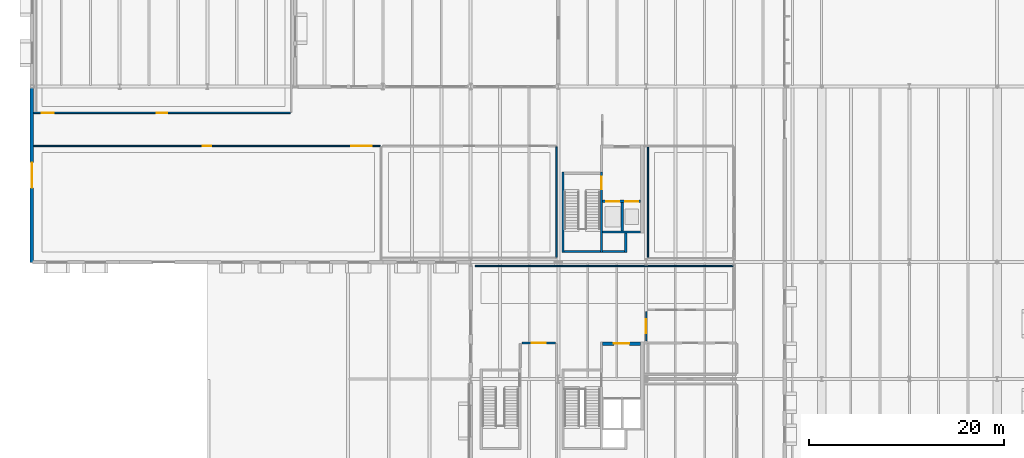
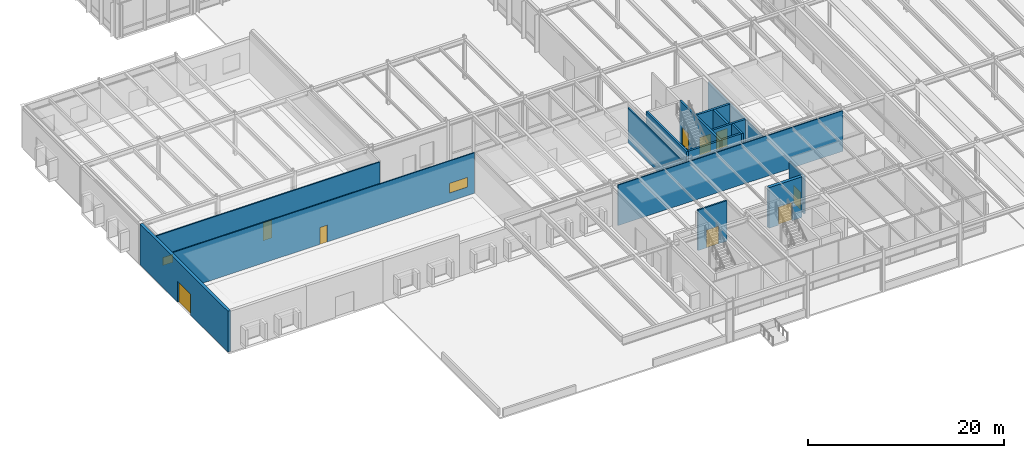
# One storey, part 119 of 143: 17 walls, 9 doors, 2 windows, 11 openings.
"""IFC4 building model written with IfcOpenShell, lengths in metres."""

from ifc_helpers import new_model, si_unit, direction, frame, frame_2d, origin, place, context, subcontext, project, spatial, rectangle, extrude, material, layer, layer_set, type_object, element, fill, save


model = new_model("IFC4")

# Units and contexts
model_context = context("Model", 3, precision=1e-05, world=origin(), true_north=direction((0.0, 1.0)))
body_context = subcontext(model_context, "Body", "Model", "MODEL_VIEW")
ifc_project = project(units=[si_unit("LENGTHUNIT", "METRE"), si_unit("AREAUNIT", "SQUARE_METRE"), si_unit("VOLUMEUNIT", "CUBIC_METRE"), si_unit("PLANEANGLEUNIT", "RADIAN"), si_unit("MASSUNIT", "GRAM", prefix="KILO")], contexts=[model_context])

# Site, building, storey
site_placement = place(None, origin())
site = spatial("IfcSite", under=ifc_project, at=site_placement, CompositionType="ELEMENT")
building_placement = place(site_placement, origin())
building = spatial("IfcBuilding", under=site, at=building_placement, Name="Montelvaro Courts of Justice", CompositionType="ELEMENT")
storey_placement = place(building_placement, origin())
storey = spatial("IfcBuildingStorey", under=building, at=storey_placement, Name="L00", CompositionType="ELEMENT", Elevation=0.0)

# Wall
ifc_material_1 = material(Name="Gypsum board on metal stud")
ifc_layer_1 = layer(ifc_material_1, 0.14990234375)
ifc_layer_set_1 = layer_set([ifc_layer_1], Name="Gypsum board on metal stud")
wall_type_1 = type_object("IfcWallType", Name="ChambersPartition_150", PredefinedType="PARTITIONING", material=ifc_layer_set_1)
wall_1_placement = place(storey_placement, frame((53.800048828125, 35.820068359375, 0.0), z_axis=(0.0, 0.0, 1.0), x_axis=(0.0, -1.0, 0.0)))
element("IfcWall", 1, at=wall_1_placement, inside=storey, type_object=wall_type_1, Name="Interior Partition IW-04 (L00)", PredefinedType="PARTITIONING", context=body_context, shape_type="SweptSolid", body=[
    extrude(rectangle(XDim=11.340087890625, YDim=0.14990234375, at=frame_2d((5.669921875, 0.0))), origin(), (0.0, 0.0, 1.0), 4.364990234375),
])

# Wall, openings, door, window
wall_2_placement = place(storey_placement, frame((26.52001953125, 39.300048828125, 0.0), z_axis=(0.0, 0.0, 1.0), x_axis=(-1.0, 0.0, 0.0)))
wall_2 = element("IfcWall", 2, at=wall_2_placement, inside=storey, type_object=wall_type_1, Name="Interior Partition IW-04 (L00)", PredefinedType="PARTITIONING", context=body_context, shape_type="SweptSolid", body=[
    extrude(rectangle(XDim=26.35009765625, YDim=0.14990234375, at=frame_2d((13.175048828125, 0.0))), origin(), (0.0, 0.0, 1.0), 5.0400390625),
])
opening_1_placement = place(wall_2_placement, frame((12.64990234375, 0.0, 0.0)))
opening_1 = element("IfcOpeningElement", 3, at=opening_1_placement, cuts=wall_2, Name="Opening D-L00-041", PredefinedType="OPENING", context=body_context, shape_type="SweptSolid", body=[
    extrude(rectangle(XDim=1.050048828125, YDim=2.25, at=frame_2d((0.52490234375, 1.125))), frame((0.0, 0.08984375, 0.0), z_axis=(0.0, -1.0, 0.0), x_axis=(1.0, 0.0, 0.0)), (0.0, 0.0, 1.0), 0.1796875),
])
opening_2_placement = place(wall_2_placement, frame((24.300048828125, 0.0, 1.050048828125)))
opening_2 = element("IfcOpeningElement", 4, at=opening_2_placement, cuts=wall_2, Name="Opening WI-03", PredefinedType="OPENING", context=body_context, shape_type="SweptSolid", body=[
    extrude(rectangle(XDim=1.199951171875, YDim=1.0, at=frame_2d((0.60009765625, 0.5))), frame((0.0, 0.08984375, 0.0), z_axis=(0.0, -1.0, 0.0), x_axis=(1.0, 0.0, 0.0)), (0.0, 0.0, 1.0), 0.1796875),
])
ifc_material_2 = material(Name="Acoustic oak timber veneer", Category="wood")
door_type_1 = type_object("IfcDoorType", Name="ChamberDoor_105x225", OperationType="NOTDEFINED", PredefinedType="DOOR", material=ifc_material_2)
door_1_placement = place(opening_1_placement, frame((1.050048828125, 0.0, 0.0), z_axis=(0.0, 0.0, 1.0), x_axis=(-1.0, 0.0, 0.0)))
door_1 = element("IfcDoor", 5, at=door_1_placement, inside=storey, type_object=door_type_1, Name="Interior Door D-L00-041 (Public Community Legal Advice Hall)", OperationType="SINGLE_SWING_RIGHT", OverallHeight=2.25, OverallWidth=1.050048828125, PredefinedType="DOOR", context=body_context, shape_type="SweptSolid", body=[
    extrude(rectangle(XDim=1.050048828125, YDim=2.25, at=frame_2d((0.52490234375, 1.125))), frame((0.0, 0.02490234375, 0.0), z_axis=(0.0, -1.0, 0.0), x_axis=(1.0, 0.0, 0.0)), (0.0, 0.0, 1.0), 0.050048828125),
])
fill(opening_1, door_1)
ifc_material_3 = material(Name="Acoustic laminated double glazing", Category="glass")
window_type_1 = type_object("IfcWindowType", Name="IntVision_120x100", PartitioningType="SINGLE_PANEL", PredefinedType="WINDOW", material=ifc_material_3)
window_1_placement = place(opening_2_placement, origin())
window_1 = element("IfcWindow", 6, at=window_1_placement, inside=storey, type_object=window_type_1, Name="Interior Vision Panel WI-023", OverallHeight=1.0, OverallWidth=1.199951171875, PartitioningType="SINGLE_PANEL", PredefinedType="WINDOW", context=body_context, shape_type="SweptSolid", body=[
    extrude(rectangle(XDim=1.199951171875, YDim=1.0, at=frame_2d((0.60009765625, 0.5))), frame((0.0, 0.030029296875, 0.0), z_axis=(0.0, -1.0, 0.0), x_axis=(1.0, 0.0, 0.0)), (0.0, 0.0, 1.0), 0.06005859375),
])
fill(opening_2, window_1)

# Wall, opening, door
ifc_material_4 = material(Name="Concrete C40/50", Category="concrete")
ifc_layer_2 = layer(ifc_material_4, 0.360107421875)
ifc_layer_set_2 = layer_set([ifc_layer_2], Name="Concrete C40/50")
wall_type_2 = type_object("IfcWallType", Name="CoreWall_360", PredefinedType="SHEAR", material=ifc_layer_set_2)
wall_3_placement = place(storey_placement, frame((58.5400390625, 15.6201171875, 0.0), z_axis=(0.0, 0.0, 1.0), x_axis=(1.0, 0.0, 0.0)))
wall_3 = element("IfcWall", 7, at=wall_3_placement, inside=storey, type_object=wall_type_2, Name="Core Shear Wall CW-01 K1-N (L00)", PredefinedType="SHEAR", context=body_context, shape_type="SweptSolid", body=[
    extrude(rectangle(XDim=3.89990234375, YDim=0.360107421875, at=frame_2d((1.949951171875, 0.0))), origin(), (0.0, 0.0, 1.0), 5.06005859375),
])
opening_3_placement = place(wall_3_placement, frame((1.14990234375, 0.0, 0.0)))
opening_3 = element("IfcOpeningElement", 8, at=opening_3_placement, cuts=wall_3, Name="Opening DL-L00-K1", PredefinedType="OPENING", context=body_context, shape_type="SweptSolid", body=[
    extrude(rectangle(XDim=1.60009765625, YDim=2.25, at=frame_2d((0.800048828125, 1.125))), frame((0.0, 0.19482421875, 0.0), z_axis=(0.0, -1.0, 0.0), x_axis=(1.0, 0.0, 0.0)), (0.0, 0.0, 1.0), 0.389892578125),
])
ifc_material_5 = material(Name="Galvanised steel S355 security door", Category="steel")
door_type_2 = type_object("IfcDoorType", Name="LobbyFireDoor_160x225", OperationType="DOUBLE_DOOR_SINGLE_SWING", PredefinedType="DOOR", material=ifc_material_5)
door_2_placement = place(opening_3_placement, origin())
door_2 = element("IfcDoor", 9, at=door_2_placement, inside=storey, type_object=door_type_2, Name="Core Lobby Fire Door DL-L00-K1", OperationType="DOUBLE_DOOR_SINGLE_SWING", OverallHeight=2.25, OverallWidth=1.60009765625, PredefinedType="DOOR", context=body_context, shape_type="SweptSolid", body=[
    extrude(rectangle(XDim=1.60009765625, YDim=2.25, at=frame_2d((0.800048828125, 1.125))), frame((0.0, 0.02490234375, 0.0), z_axis=(0.0, -1.0, 0.0), x_axis=(1.0, 0.0, 0.0)), (0.0, 0.0, 1.0), 0.050048828125),
])
fill(opening_3, door_2)

ifc_material_6 = material(Name="Fire-rated gypsum and steel stud", Category="steel")
ifc_layer_3 = layer(ifc_material_6, 0.179931640625)
ifc_layer_set_3 = layer_set([ifc_layer_3], Name="Fire-rated gypsum and steel stud")
wall_type_3 = type_object("IfcWallType", Name="CorridorFireWall_180", PredefinedType="PARTITIONING", material=ifc_layer_set_3)
wall_4_placement = place(storey_placement, frame((63.0, 18.919921875, 0.0), z_axis=(0.0, 0.0, 1.0), x_axis=(0.0, -1.0, 0.0)))
wall_4 = element("IfcWall", 10, at=wall_4_placement, inside=storey, type_object=wall_type_3, Name="Interior Partition IW-02 (L00)", PredefinedType="PARTITIONING", context=body_context, shape_type="SweptSolid", body=[
    extrude(rectangle(XDim=3.0400390625, YDim=0.179931640625, at=frame_2d((1.52001953125, 0.0))), origin(), (0.0, 0.0, 1.0), 4.635009765625),
])
opening_4_placement = place(wall_4_placement, frame((0.794921875, 0.0, 0.0)))
opening_4 = element("IfcOpeningElement", 11, at=opening_4_placement, cuts=wall_4, Name="Opening D-L00-025", PredefinedType="OPENING", context=body_context, shape_type="SweptSolid", body=[
    extrude(rectangle(XDim=1.449951171875, YDim=2.199951171875, at=frame_2d((0.72509765625, 1.10009765625))), frame((0.0, 0.10498046875, 0.0), z_axis=(0.0, -1.0, 0.0), x_axis=(1.0, 0.0, 0.0)), (0.0, 0.0, 1.0), 0.209716796875),
])
door_type_3 = type_object("IfcDoorType", Name="LobbyFireDoor_145x220", OperationType="DOUBLE_DOOR_SINGLE_SWING", PredefinedType="DOOR", material=ifc_material_5)
door_3_placement = place(opening_4_placement, origin())
door_3 = element("IfcDoor", 12, at=door_3_placement, inside=storey, type_object=door_type_3, Name="Interior Door D-L00-025 (Protected Exit Corridor ST-K1)", OperationType="DOUBLE_DOOR_SINGLE_SWING", OverallHeight=2.199951171875, OverallWidth=1.449951171875, PredefinedType="DOOR", context=body_context, shape_type="SweptSolid", body=[
    extrude(rectangle(XDim=1.449951171875, YDim=2.199951171875, at=frame_2d((0.72509765625, 1.10009765625))), frame((0.0, 0.02490234375, 0.0), z_axis=(0.0, -1.0, 0.0), x_axis=(1.0, 0.0, 0.0)), (0.0, 0.0, 1.0), 0.050048828125),
])
fill(opening_4, door_3)

wall_5_placement = place(storey_placement, frame((50.280029296875, 15.699951171875, 0.0), z_axis=(0.0, 0.0, 1.0), x_axis=(1.0, 0.0, 0.0)))
wall_5 = element("IfcWall", 13, at=wall_5_placement, inside=storey, type_object=wall_type_3, Name="Interior Partition IW-02 (L00)", PredefinedType="PARTITIONING", context=body_context, shape_type="SweptSolid", body=[
    extrude(rectangle(XDim=3.43994140625, YDim=0.179931640625, at=frame_2d((1.719970703125, 0.0))), origin(), (0.0, 0.0, 1.0), 5.0400390625),
])
opening_5_placement = place(wall_5_placement, frame((0.9951171875, 0.0, 0.0)))
opening_5 = element("IfcOpeningElement", 14, at=opening_5_placement, cuts=wall_5, Name="Opening D-L00-026", PredefinedType="OPENING", context=body_context, shape_type="SweptSolid", body=[
    extrude(rectangle(XDim=1.449951171875, YDim=2.199951171875, at=frame_2d((0.72509765625, 1.10009765625))), frame((0.0, 0.10498046875, 0.0), z_axis=(0.0, -1.0, 0.0), x_axis=(1.0, 0.0, 0.0)), (0.0, 0.0, 1.0), 0.209716796875),
])
door_4_placement = place(opening_5_placement, origin())
door_4 = element("IfcDoor", 15, at=door_4_placement, inside=storey, type_object=door_type_3, Name="Interior Door D-L00-026 (Protected Exit Lobby ST-E1)", OperationType="DOUBLE_DOOR_SINGLE_SWING", OverallHeight=2.199951171875, OverallWidth=1.449951171875, PredefinedType="DOOR", context=body_context, shape_type="SweptSolid", body=[
    extrude(rectangle(XDim=1.449951171875, YDim=2.199951171875, at=frame_2d((0.72509765625, 1.10009765625))), frame((0.0, 0.02490234375, 0.0), z_axis=(0.0, -1.0, 0.0), x_axis=(1.0, 0.0, 0.0)), (0.0, 0.0, 1.0), 0.050048828125),
])
fill(opening_5, door_4)

ifc_material_7 = material(Name="Precast concrete C45/55", Category="concrete")
ifc_layer_4 = layer(ifc_material_7, 0.35009765625)
ifc_layer_set_4 = layer_set([ifc_layer_4], Name="Precast concrete C45/55")
wall_type_4 = type_object("IfcWallType", Name="ExtWall_Limestone_350", PredefinedType="SOLIDWALL", material=ifc_layer_set_4)
wall_6_placement = place(storey_placement, frame((0.0, 41.842041015625, 0.0), z_axis=(0.0, 0.0, 1.0), x_axis=(0.0, -1.0, 0.0)))
wall_6 = element("IfcWall", 16, at=wall_6_placement, inside=storey, type_object=wall_type_4, Name="Exterior Facade Wall EW-03 (L00)", PredefinedType="SOLIDWALL", context=body_context, shape_type="SweptSolid", body=[
    extrude(rectangle(XDim=17.882080078125, YDim=0.35009765625, at=frame_2d((8.94091796875, 0.0))), origin(), (0.0, 0.0, 1.0), 5.080078125),
])
opening_6_placement = place(wall_6_placement, frame((7.64111328125, 0.0, 0.0)))
opening_6 = element("IfcOpeningElement", 17, at=opening_6_placement, cuts=wall_6, Name="Opening SG-02B", PredefinedType="OPENING", context=body_context, shape_type="SweptSolid", body=[
    extrude(rectangle(XDim=2.60009765625, YDim=2.60009765625, at=frame_2d((1.300048828125, 1.300048828125))), frame((0.0, 0.18994140625, 0.0), z_axis=(0.0, -1.0, 0.0), x_axis=(1.0, 0.0, 0.0)), (0.0, 0.0, 1.0), 0.3798828125),
])
ifc_material_8 = material(Name="Anodised aluminium and laminated safety glass", Category="aluminium")
door_type_4 = type_object("IfcDoorType", Name="SecGate_260x260", OperationType="DOUBLE_DOOR_SINGLE_SWING", PredefinedType="GATE", material=ifc_material_8)
door_5_placement = place(opening_6_placement, frame((2.60009765625, 0.0, 0.0), z_axis=(0.0, 0.0, 1.0), x_axis=(-1.0, 0.0, 0.0)))
door_5 = element("IfcDoor", 18, at=door_5_placement, inside=storey, type_object=door_type_4, Name="Perimeter Security Gate SG-02B", OperationType="DOUBLE_DOOR_SINGLE_SWING", OverallHeight=2.60009765625, OverallWidth=2.60009765625, PredefinedType="GATE", context=body_context, shape_type="SweptSolid", body=[
    extrude(rectangle(XDim=2.60009765625, YDim=2.60009765625, at=frame_2d((1.300048828125, 1.300048828125))), frame((0.0, 0.02490234375, 0.0), z_axis=(0.0, -1.0, 0.0), x_axis=(1.0, 0.0, 0.0)), (0.0, 0.0, 1.0), 0.050048828125),
])
fill(opening_6, door_5)

# Wall, openings, window, door
ifc_layer_5 = layer(ifc_material_1, 0.1201171875)
ifc_layer_set_5 = layer_set([ifc_layer_5], Name="Gypsum board on metal stud")
wall_type_5 = type_object("IfcWallType", Name="OfficePartition_120", PredefinedType="PARTITIONING", material=ifc_layer_set_5)
wall_7_placement = place(storey_placement, frame((0.169921875, 35.89990234375, 0.0), z_axis=(0.0, 0.0, 1.0), x_axis=(1.0, 0.0, 0.0)))
wall_7 = element("IfcWall", 19, at=wall_7_placement, inside=storey, type_object=wall_type_5, Name="Interior Partition IW-05 (L00)", PredefinedType="PARTITIONING", context=body_context, shape_type="SweptSolid", body=[
    extrude(rectangle(XDim=35.550048828125, YDim=0.1201171875, at=frame_2d((17.77490234375, 0.0))), origin(), (0.0, 0.0, 1.0), 5.0400390625),
])
opening_7_placement = place(wall_7_placement, frame((17.324951171875, 0.0, 0.0)))
opening_7 = element("IfcOpeningElement", 20, at=opening_7_placement, cuts=wall_7, Name="Opening D-L00-038", PredefinedType="OPENING", context=body_context, shape_type="SweptSolid", body=[
    extrude(rectangle(XDim=0.89990234375, YDim=2.10009765625, at=frame_2d((0.449951171875, 1.050048828125))), frame((0.0, 0.074951171875, 0.0), z_axis=(0.0, -1.0, 0.0), x_axis=(1.0, 0.0, 0.0)), (0.0, 0.0, 1.0), 0.14990234375),
])
opening_8_placement = place(wall_7_placement, frame((32.60009765625, 0.0, 1.050048828125)))
opening_8 = element("IfcOpeningElement", 21, at=opening_8_placement, cuts=wall_7, Name="Opening WI-04", PredefinedType="OPENING", context=body_context, shape_type="SweptSolid", body=[
    extrude(rectangle(XDim=2.10009765625, YDim=1.199951171875, at=frame_2d((1.050048828125, 0.60009765625))), frame((0.0, 0.074951171875, 0.0), z_axis=(0.0, -1.0, 0.0), x_axis=(1.0, 0.0, 0.0)), (0.0, 0.0, 1.0), 0.14990234375),
])
window_type_2 = type_object("IfcWindowType", Name="IntVision_210x120", PartitioningType="SINGLE_PANEL", PredefinedType="WINDOW", material=ifc_material_3)
window_2_placement = place(opening_8_placement, origin())
window_2 = element("IfcWindow", 22, at=window_2_placement, inside=storey, type_object=window_type_2, Name="Interior Vision Panel WI-020", OverallHeight=1.199951171875, OverallWidth=2.10009765625, PartitioningType="SINGLE_PANEL", PredefinedType="WINDOW", context=body_context, shape_type="SweptSolid", body=[
    extrude(rectangle(XDim=2.10009765625, YDim=1.199951171875, at=frame_2d((1.050048828125, 0.60009765625))), frame((0.0, 0.030029296875, 0.0), z_axis=(0.0, -1.0, 0.0), x_axis=(1.0, 0.0, 0.0)), (0.0, 0.0, 1.0), 0.06005859375),
])
fill(opening_8, window_2)
door_type_5 = type_object("IfcDoorType", Name="OfficeDoor_090x210", OperationType="NOTDEFINED", PredefinedType="DOOR", material=ifc_material_2)
door_6_placement = place(opening_7_placement, origin())
door_6 = element("IfcDoor", 23, at=door_6_placement, inside=storey, type_object=door_type_5, Name="Interior Door D-L00-038 (Law Library Reference Reception)", OperationType="SINGLE_SWING_LEFT", OverallHeight=2.10009765625, OverallWidth=0.89990234375, PredefinedType="DOOR", context=body_context, shape_type="SweptSolid", body=[
    extrude(rectangle(XDim=0.89990234375, YDim=2.10009765625, at=frame_2d((0.449951171875, 1.050048828125))), frame((0.0, 0.02490234375, 0.0), z_axis=(0.0, -1.0, 0.0), x_axis=(1.0, 0.0, 0.0)), (0.0, 0.0, 1.0), 0.050048828125),
])
fill(opening_7, door_6)

# Walls
wall_8_placement = place(storey_placement, frame((63.199951171875, 24.47998046875, 0.0), z_axis=(0.0, 0.0, 1.0), x_axis=(0.0, 1.0, 0.0)))
element("IfcWall", 24, at=wall_8_placement, inside=storey, type_object=wall_type_5, Name="Interior Partition IW-05 (L00)", PredefinedType="PARTITIONING", context=body_context, shape_type="SweptSolid", body=[
    extrude(rectangle(XDim=11.340087890625, YDim=0.1201171875, at=frame_2d((5.669921875, 0.0))), origin(), (0.0, 0.0, 1.0), 4.264892578125),
])
wall_9_placement = place(storey_placement, frame((45.47998046875, 23.60009765625, 0.0), z_axis=(0.0, 0.0, 1.0), x_axis=(1.0, 0.0, 0.0)))
element("IfcWall", 25, at=wall_9_placement, inside=storey, type_object=wall_type_5, Name="Interior Partition IW-05 (L00)", PredefinedType="PARTITIONING", context=body_context, shape_type="SweptSolid", body=[
    extrude(rectangle(XDim=26.43994140625, YDim=0.1201171875, at=frame_2d((13.219970703125, 0.0))), origin(), (0.0, 0.0, 1.0), 5.0400390625),
])
ifc_material_9 = material(Name="Concrete C35/45", Category="concrete")
ifc_layer_6 = layer(ifc_material_9, 0.239990234375)
ifc_layer_set_6 = layer_set([ifc_layer_6], Name="Concrete C35/45")
wall_type_6 = type_object("IfcWallType", Name="ShaftWall_240", PredefinedType="SHEAR", material=ifc_layer_set_6)
wall_10_placement = place(storey_placement, frame((54.47998046875, 24.9599609375, 0.0), z_axis=(0.0, 0.0, 1.0), x_axis=(0.0, 1.0, 0.0)))
element("IfcWall", 26, at=wall_10_placement, inside=storey, type_object=wall_type_6, Name="Protected Stair Structural Wall ST-W1-W (L00)", PredefinedType="SHEAR", context=body_context, shape_type="SweptSolid", body=[
    extrude(rectangle(XDim=8.280029296875, YDim=0.239990234375, at=frame_2d((4.14013671875, 0.0))), origin(), (0.0, 0.0, 1.0), 5.2099609375),
])

# Wall, opening, door
wall_11_placement = place(storey_placement, frame((58.419921875, 24.9599609375, 0.0), z_axis=(0.0, 0.0, 1.0), x_axis=(0.0, 1.0, 0.0)))
wall_11 = element("IfcWall", 27, at=wall_11_placement, inside=storey, type_object=wall_type_6, Name="Protected Stair Structural Wall ST-W1-E (L00)", PredefinedType="SHEAR", context=body_context, shape_type="SweptSolid", body=[
    extrude(rectangle(XDim=8.280029296875, YDim=0.239990234375, at=frame_2d((4.14013671875, 0.0))), origin(), (0.0, 0.0, 1.0), 5.2099609375),
])
opening_9_placement = place(wall_11_placement, frame((6.489990234375, 0.0, 0.0)))
opening_9 = element("IfcOpeningElement", 28, at=opening_9_placement, cuts=wall_11, Name="Opening DS-L00-K5", PredefinedType="OPENING", context=body_context, shape_type="SweptSolid", body=[
    extrude(rectangle(XDim=1.300048828125, YDim=2.199951171875, at=frame_2d((0.64990234375, 1.10009765625))), frame((0.0, 0.134765625, 0.0), z_axis=(0.0, -1.0, 0.0), x_axis=(1.0, 0.0, 0.0)), (0.0, 0.0, 1.0), 0.269775390625),
])
door_type_6 = type_object("IfcDoorType", Name="StairFireDoor_130x220", OperationType="NOTDEFINED", PredefinedType="DOOR", material=ifc_material_5)
door_7_placement = place(opening_9_placement, frame((1.300048828125, 0.0, 0.0), z_axis=(0.0, 0.0, 1.0), x_axis=(-1.0, 0.0, 0.0)))
door_7 = element("IfcDoor", 29, at=door_7_placement, inside=storey, type_object=door_type_6, Name="Protected Stair Fire Door DS-L00-K5", OperationType="SINGLE_SWING_RIGHT", OverallHeight=2.199951171875, OverallWidth=1.300048828125, PredefinedType="DOOR", context=body_context, shape_type="SweptSolid", body=[
    extrude(rectangle(XDim=1.300048828125, YDim=2.199951171875, at=frame_2d((0.64990234375, 1.10009765625))), frame((0.0, 0.02490234375, 0.0), z_axis=(0.0, -1.0, 0.0), x_axis=(1.0, 0.0, 0.0)), (0.0, 0.0, 1.0), 0.050048828125),
])
fill(opening_9, door_7)

# Wall
wall_12_placement = place(storey_placement, frame((54.60009765625, 25.080078125, 0.0), z_axis=(0.0, 0.0, 1.0), x_axis=(1.0, 0.0, 0.0)))
element("IfcWall", 30, at=wall_12_placement, inside=storey, type_object=wall_type_6, Name="Protected Stair Structural Wall ST-W1-S (L00)", PredefinedType="SHEAR", context=body_context, shape_type="SweptSolid", body=[
    extrude(rectangle(XDim=3.699951171875, YDim=0.239990234375, at=frame_2d((1.85009765625, 0.0))), origin(), (0.0, 0.0, 1.0), 5.2099609375),
])

# Wall, openings, doors
wall_13_placement = place(storey_placement, frame((58.5400390625, 30.219970703125, 0.0), z_axis=(0.0, 0.0, 1.0), x_axis=(1.0, 0.0, 0.0)))
wall_13 = element("IfcWall", 31, at=wall_13_placement, inside=storey, type_object=wall_type_6, Name="Lift Shaft Bank Wall K5 (L00)", PredefinedType="SHEAR", context=body_context, shape_type="SweptSolid", body=[
    extrude(rectangle(XDim=3.89990234375, YDim=0.239990234375, at=frame_2d((1.949951171875, 0.0))), origin(), (0.0, 0.0, 1.0), 5.2099609375),
])
opening_10_placement = place(wall_13_placement, frame((0.385009765625, 0.0, 0.0)))
opening_10 = element("IfcOpeningElement", 32, at=opening_10_placement, cuts=wall_13, Name="Opening LD-LP-03-L00", PredefinedType="OPENING", context=body_context, shape_type="SweptSolid", body=[
    extrude(rectangle(XDim=1.300048828125, YDim=2.199951171875, at=frame_2d((0.64990234375, 1.10009765625))), frame((0.0, 0.134765625, 0.0), z_axis=(0.0, -1.0, 0.0), x_axis=(1.0, 0.0, 0.0)), (0.0, 0.0, 1.0), 0.269775390625),
])
opening_11_placement = place(wall_13_placement, frame((2.3349609375, 0.0, 0.0)))
opening_11 = element("IfcOpeningElement", 33, at=opening_11_placement, cuts=wall_13, Name="Opening LD-LJ-03-L00", PredefinedType="OPENING", context=body_context, shape_type="SweptSolid", body=[
    extrude(rectangle(XDim=1.300048828125, YDim=2.199951171875, at=frame_2d((0.64990234375, 1.10009765625))), frame((0.0, 0.134765625, 0.0), z_axis=(0.0, -1.0, 0.0), x_axis=(1.0, 0.0, 0.0)), (0.0, 0.0, 1.0), 0.269775390625),
])
door_type_7 = type_object("IfcDoorType", Name="LiftDoor_130x220", OperationType="DOUBLE_DOOR_SLIDING", PredefinedType="DOOR", material=ifc_material_5)
door_8_placement = place(opening_10_placement, origin())
door_8 = element("IfcDoor", 34, at=door_8_placement, inside=storey, type_object=door_type_7, Name="Lift Landing Sliding Door LD-LP-03-L00", OperationType="DOUBLE_DOOR_SLIDING", OverallHeight=2.199951171875, OverallWidth=1.300048828125, PredefinedType="DOOR", context=body_context, shape_type="SweptSolid", body=[
    extrude(rectangle(XDim=1.300048828125, YDim=2.199951171875, at=frame_2d((0.64990234375, 1.10009765625))), frame((0.0, 0.02490234375, 0.0), z_axis=(0.0, -1.0, 0.0), x_axis=(1.0, 0.0, 0.0)), (0.0, 0.0, 1.0), 0.050048828125),
])
fill(opening_10, door_8)
door_9_placement = place(opening_11_placement, origin())
door_9 = element("IfcDoor", 35, at=door_9_placement, inside=storey, type_object=door_type_7, Name="Lift Landing Sliding Door LD-LJ-03-L00", OperationType="DOUBLE_DOOR_SLIDING", OverallHeight=2.199951171875, OverallWidth=1.300048828125, PredefinedType="DOOR", context=body_context, shape_type="SweptSolid", body=[
    extrude(rectangle(XDim=1.300048828125, YDim=2.199951171875, at=frame_2d((0.64990234375, 1.10009765625))), frame((0.0, 0.02490234375, 0.0), z_axis=(0.0, -1.0, 0.0), x_axis=(1.0, 0.0, 0.0)), (0.0, 0.0, 1.0), 0.050048828125),
])
fill(opening_11, door_9)

# Walls
wall_14_placement = place(storey_placement, frame((58.5400390625, 27.080078125, 0.0), z_axis=(0.0, 0.0, 1.0), x_axis=(1.0, 0.0, 0.0)))
element("IfcWall", 36, at=wall_14_placement, inside=storey, type_object=wall_type_6, Name="Lift Shaft Back Wall K5 (L00)", PredefinedType="SHEAR", context=body_context, shape_type="SweptSolid", body=[
    extrude(rectangle(XDim=3.89990234375, YDim=0.239990234375, at=frame_2d((1.949951171875, 0.0))), origin(), (0.0, 0.0, 1.0), 5.2099609375),
])
wall_15_placement = place(storey_placement, frame((60.550048828125, 27.199951171875, 0.0), z_axis=(0.0, 0.0, 1.0), x_axis=(0.0, 1.0, 0.0)))
element("IfcWall", 37, at=wall_15_placement, inside=storey, type_object=wall_type_6, Name="Lift Shaft Divider Wall K5-LFD1 (L00)", PredefinedType="SHEAR", context=body_context, shape_type="SweptSolid", body=[
    extrude(rectangle(XDim=2.900146484375, YDim=0.239990234375, at=frame_2d((1.4501953125, 0.0))), origin(), (0.0, 0.0, 1.0), 5.2099609375),
])
wall_16_placement = place(storey_placement, frame((60.919921875, 24.9599609375, 0.0), z_axis=(0.0, 0.0, 1.0), x_axis=(0.0, 1.0, 0.0)))
element("IfcWall", 38, at=wall_16_placement, inside=storey, type_object=wall_type_6, Name="Service Riser East Shaft Wall K5 (L00)", PredefinedType="SHEAR", context=body_context, shape_type="SweptSolid", body=[
    extrude(rectangle(XDim=2.0, YDim=0.239990234375, at=frame_2d((1.0, 0.0))), origin(), (0.0, 0.0, 1.0), 5.2099609375),
])
wall_17_placement = place(storey_placement, frame((58.5400390625, 25.080078125, 0.0), z_axis=(0.0, 0.0, 1.0), x_axis=(1.0, 0.0, 0.0)))
element("IfcWall", 39, at=wall_17_placement, inside=storey, type_object=wall_type_6, Name="Service Riser South Shaft Wall K5 (L00)", PredefinedType="SHEAR", context=body_context, shape_type="SweptSolid", body=[
    extrude(rectangle(XDim=2.260009765625, YDim=0.239990234375, at=frame_2d((1.1298828125, 0.0))), origin(), (0.0, 0.0, 1.0), 5.2099609375),
])

save(model, "model.ifc")
